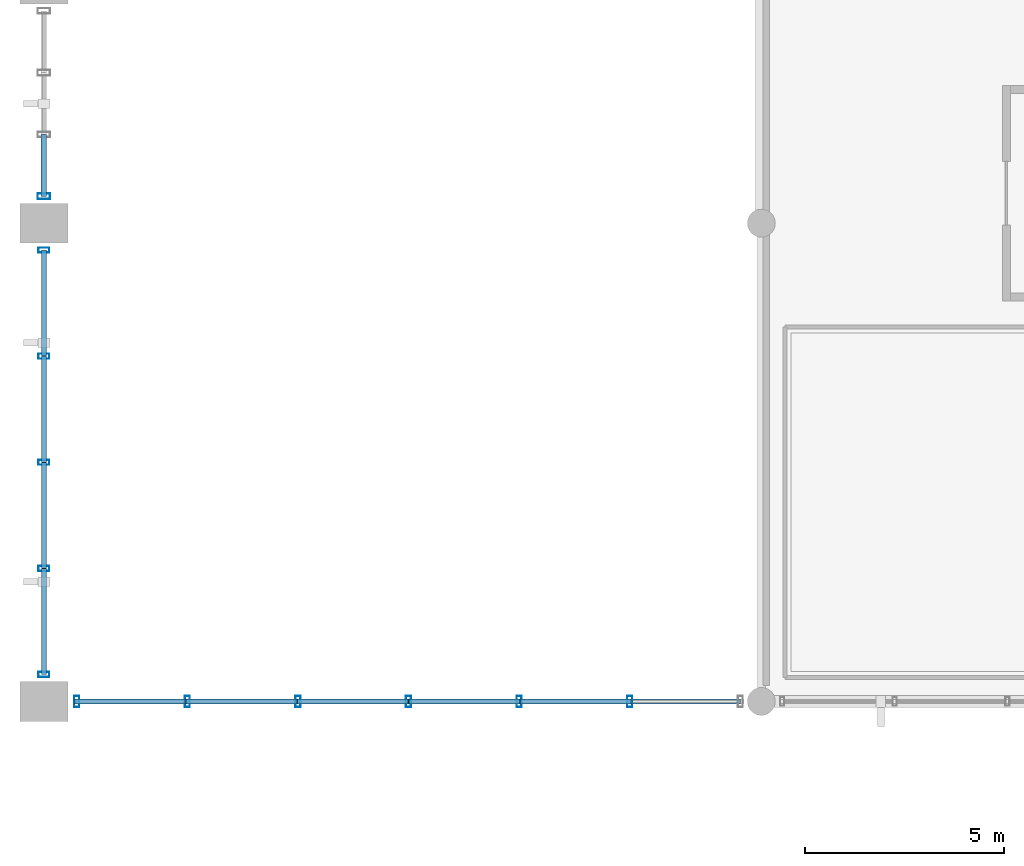
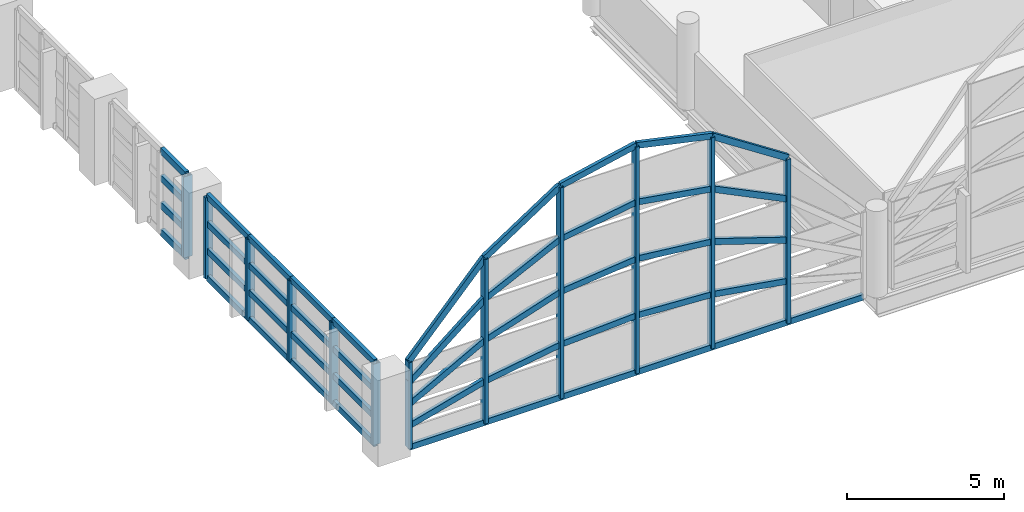
# One storey, part 19 of 116: 58 members, 3 elements without a shape of their own.
"""IFC4 building model written with IfcOpenShell, lengths in metres."""

import ifcopenshell
import ifcopenshell.guid

model = None  # the IFC model being written
_history = None  # IfcOwnerHistory: only IFC2X3 demands one
_inside = {}  # id of a spatial element -> (the spatial element, [elements in it])
_under = {}  # id of a project, library or spatial element -> (it, [spatial elements below it])
_declared = {}  # id of a project -> (the project, [libraries it declares])
_typed = {}  # id of a type object -> (the type object, [elements of that type])
_made_of = {}  # id of a material, layer set ... -> (it, [elements and type objects made of it])


def new_model(schema):
    """Start an empty IFC model of exactly this schema.

    Asked for "IFC4X3", IfcOpenShell would pick the latest addendum, in which some entities
    have other attributes; the version numbers below select the first issue.
    IFC2X3 requires an IfcOwnerHistory on every rooted entity: one is made here for all.
    """
    global model, _history
    if schema == "IFC4X3":
        model = ifcopenshell.file(schema_version=(4, 3, 0, 0))
    else:
        model = ifcopenshell.file(schema=schema)
    _inside.clear()
    _under.clear()
    _declared.clear()
    _typed.clear()
    _made_of.clear()
    _history = None
    if model.schema == "IFC2X3":
        org = make("IfcOrganization", Name="unknown")
        user = make(
            "IfcPersonAndOrganization",
            ThePerson=make("IfcPerson", FamilyName="unknown"),
            TheOrganization=org,
        )
        app = make(
            "IfcApplication",
            ApplicationDeveloper=org,
            Version="unknown",
            ApplicationFullName="unknown",
            ApplicationIdentifier="unknown",
        )
        _history = make(
            "IfcOwnerHistory",
            OwningUser=user,
            OwningApplication=app,
            ChangeAction="ADDED",
            CreationDate=0,
        )
    return model


def make(cls, **values):
    """One entity of the class cls with the attributes given. An attribute that is None is left unset."""
    return model.create_entity(
        cls, **{name: value for name, value in values.items() if value is not None}
    )


def rooted(cls, **values):
    """An entity with a GlobalId (a new one), such as an element, a storey or a relation."""
    return make(cls, GlobalId=ifcopenshell.guid.new(), OwnerHistory=_history, **values)


def si_unit(unit_type, name, prefix=None):
    """IfcSIUnit, for example si_unit("LENGTHUNIT", "METRE", prefix="MILLI")."""
    return make("IfcSIUnit", UnitType=unit_type, Prefix=prefix, Name=name)


def assignment(units):
    """IfcUnitAssignment: the units of a project."""
    return None if units is None else make("IfcUnitAssignment", Units=units)


def point(xyz):
    """IfcCartesianPoint."""
    return None if xyz is None else make("IfcCartesianPoint", Coordinates=xyz)


def direction(xyz):
    """IfcDirection."""
    return None if xyz is None else make("IfcDirection", DirectionRatios=xyz)


def frame(location, z_axis=None, x_axis=None):
    """IfcAxis2Placement3D, a coordinate frame: its origin and axes. An axis left out is left unset."""
    return make(
        "IfcAxis2Placement3D",
        Location=point(location),
        Axis=direction(z_axis),
        RefDirection=direction(x_axis),
    )


def frame_2d(location, x_axis=None):
    """IfcAxis2Placement2D, a coordinate frame in the plane: its origin and x axis."""
    return make(
        "IfcAxis2Placement2D", Location=point(location), RefDirection=direction(x_axis)
    )


def origin():
    """The frame at (0, 0, 0) with its axes left unset."""
    return frame((0.0, 0.0, 0.0))


def origin_2d():
    """The frame at (0, 0) in the plane with its x axis left unset."""
    return frame_2d((0.0, 0.0))


def place(relative_to, where):
    """IfcLocalPlacement: puts the frame where relative to a parent placement (None: the world)."""
    return make(
        "IfcLocalPlacement", PlacementRelTo=relative_to, RelativePlacement=where
    )


def context(
    kind, dimensions, precision=None, world=None, true_north=None, identifier=None
):
    """IfcGeometricRepresentationContext, for example the 3D "Model" context."""
    return make(
        "IfcGeometricRepresentationContext",
        ContextIdentifier=identifier,
        ContextType=kind,
        CoordinateSpaceDimension=dimensions,
        Precision=precision,
        WorldCoordinateSystem=world,
        TrueNorth=true_north,
    )


def subcontext(parent, identifier, kind, view, scale=None):
    """IfcGeometricRepresentationSubContext, for example "Body" below "Model"."""
    return make(
        "IfcGeometricRepresentationSubContext",
        ContextIdentifier=identifier,
        ContextType=kind,
        ParentContext=parent,
        TargetScale=scale,
        TargetView=view,
    )


def project(units=None, contexts=None):
    """IfcProject with its units and contexts."""
    return rooted(
        "IfcProject",
        Name="project",
        RepresentationContexts=contexts,
        UnitsInContext=assignment(units),
    )


def spatial(cls, under=None, at=None, **own):
    """A site, building, storey or space (cls), placed at a placement, below another one or the project."""
    s = rooted(cls, ObjectPlacement=at, **own)
    if under is not None:
        _under.setdefault(under.id(), (under, []))[1].append(s)
    return s


def profile(cls, at=None, kind="AREA", **sizes):
    """A parametric profile (cls). Its sizes go by their IFC names, for example OverallWidth=200.0."""
    return make(cls, ProfileType=kind, Position=at, **sizes)


def hollow_rectangle(**sizes):
    """IfcRectangleHollowProfileDef."""
    return profile("IfcRectangleHollowProfileDef", **sizes)


def extrude(swept, where, along, depth):
    """IfcExtrudedAreaSolid: the profile swept, set in the frame where, extruded along a direction by depth."""
    return make(
        "IfcExtrudedAreaSolid",
        SweptArea=swept,
        Position=where,
        ExtrudedDirection=direction(along),
        Depth=depth,
    )


def shape(context_of_items, identifier, shape_type, items):
    """IfcShapeRepresentation: the items that make up one representation, for example the "Body"."""
    return make(
        "IfcShapeRepresentation",
        ContextOfItems=context_of_items,
        RepresentationIdentifier=identifier,
        RepresentationType=shape_type,
        Items=items,
    )


def material(Name=None, Category=None):
    """IfcMaterial."""
    return make("IfcMaterial", Name=Name, Category=Category)


def material_profile(
    of_material, cross_section, Name=None, Category=None, Priority=None
):
    """IfcMaterialProfile: a cross section and its material."""
    return make(
        "IfcMaterialProfile",
        Name=Name,
        Material=of_material,
        Profile=cross_section,
        Priority=Priority,
        Category=Category,
    )


def profile_set(profiles, Name=None, composite=None):
    """IfcMaterialProfileSet."""
    return make(
        "IfcMaterialProfileSet",
        Name=Name,
        MaterialProfiles=profiles,
        CompositeProfile=composite,
    )


def made_of(thing, what):
    """Note that an element or type object is made of a material, layer set ...; save() writes the relation."""
    if what is not None:
        _made_of.setdefault(what.id(), (what, []))[1].append(thing)
    return thing


def type_object(cls, material=None, **own):
    """A type object (cls), such as IfcWallType, which elements share."""
    return made_of(rooted(cls, **own), material)


def element(
    cls,
    number,
    at=None,
    inside=None,
    cuts=None,
    type_object=None,
    material=None,
    context=None,
    identifier="Body",
    shape_type=None,
    held_by="IfcProductDefinitionShape",
    body=None,
    shapes=None,
    **own,
):
    """One element of the class cls, such as IfcWall. Its Tag is "e" and its number.

    at: its placement. inside: the storey or other place that contains it. cuts: it is an
    opening in that element (IfcRelVoidsElement). A single representation is given by context,
    identifier, shape_type and body (its items); several are given by shapes. held_by: the class
    of the entity that holds the representations. save() writes the other relations.
    """
    e = rooted(cls, Tag="e%d" % number, ObjectPlacement=at, **own)
    if body is not None:
        shapes = [shape(context, identifier, shape_type, body)]
    if shapes is not None:
        e.Representation = make(held_by, Representations=shapes)
    if inside is not None:
        _inside.setdefault(inside.id(), (inside, []))[1].append(e)
    if cuts is not None:
        rooted(
            "IfcRelVoidsElement", RelatingBuildingElement=cuts, RelatedOpeningElement=e
        )
    if type_object is not None:
        _typed.setdefault(type_object.id(), (type_object, []))[1].append(e)
    return made_of(e, material)


def aggregate(whole, parts):
    """IfcRelAggregates: a whole, such as a stair, and the parts it consists of."""
    return rooted("IfcRelAggregates", RelatingObject=whole, RelatedObjects=parts)


def save(model, path):
    """Write the relations noted so far, then the file.

    IfcRelAggregates (storeys below a building ...), IfcRelContainedInSpatialStructure (elements
    in a storey), IfcRelDefinesByType, IfcRelAssociatesMaterial and IfcRelDeclares: one each for
    every whole, place, type object, material and project.
    """
    for whole, parts in _under.values():
        aggregate(whole, parts)
    for where, things in _inside.values():
        rooted(
            "IfcRelContainedInSpatialStructure",
            RelatedElements=things,
            RelatingStructure=where,
        )
    for kind, things in _typed.values():
        rooted("IfcRelDefinesByType", RelatedObjects=things, RelatingType=kind)
    for what, things in _made_of.values():
        rooted("IfcRelAssociatesMaterial", RelatedObjects=things, RelatingMaterial=what)
    for by, libraries in _declared.values():
        rooted("IfcRelDeclares", RelatingContext=by, RelatedDefinitions=libraries)
    model.write(path)


model = new_model("IFC4")

# Units and contexts
model_context = context("Model", 3, precision=1e-05, world=origin(), true_north=direction((0.0, 1.0)))
body_context = subcontext(model_context, "Body", "Model", "MODEL_VIEW")
ifc_project = project(units=[si_unit("LENGTHUNIT", "METRE"), si_unit("AREAUNIT", "SQUARE_METRE"), si_unit("VOLUMEUNIT", "CUBIC_METRE"), si_unit("PLANEANGLEUNIT", "RADIAN"), si_unit("MASSUNIT", "GRAM", prefix="KILO")], contexts=[model_context])

# Site, building, storey
site_placement = place(None, origin())
site = spatial("IfcSite", under=ifc_project, at=site_placement, CompositionType="ELEMENT")
building_placement = place(site_placement, origin())
building = spatial("IfcBuilding", under=site, at=building_placement, Name="Chuanluo Vaults Station", CompositionType="ELEMENT")
storey_placement = place(building_placement, frame((0.0, 0.0, 10.800048828125)))
storey = spatial("IfcBuildingStorey", under=building, at=storey_placement, Name="L02", CompositionType="ELEMENT", Elevation=10.800048828125)

# Curtain wall, members
ifc_material_1 = material(Name="Anodised aluminium 6063-T6", Category="aluminium")
curtain_wall_type_1 = type_object("IfcCurtainWallType", Name="CW-SYS-02", PredefinedType="NOTDEFINED", material=ifc_material_1)
curtain_wall_1_placement = place(storey_placement, origin())
curtain_wall_1 = element("IfcCurtainWall", 1, at=curtain_wall_1_placement, inside=storey, type_object=curtain_wall_type_1, Name="Vault V1 south arched curtain wall", PredefinedType="NOTDEFINED")
ifc_material_2 = material(Name="Anodised aluminium 6063-T6", Category="aluminium")
ifc_material_profile_1 = material_profile(ifc_material_2, hollow_rectangle(XDim=0.1298828125, YDim=0.280029296875, WallThickness=0.007080078125, at=origin_2d()))
ifc_profile_set_1 = profile_set([ifc_material_profile_1], Name="Anodised aluminium 6063-T6")
member_type_1 = type_object("IfcMemberType", Name="CWM-180", PredefinedType="MULLION", material=ifc_profile_set_1)
member_1_placement = place(storey_placement, frame((14.699951171875, 18.0, 0.0), z_axis=(0.0, 0.0, 1.0), x_axis=(-1.0, 0.0, 0.0)))
member_1 = element("IfcMember", 2, at=member_1_placement, type_object=member_type_1, Name="Vault V1 south arched curtain wall mullion 2", PredefinedType="MULLION", context=body_context, shape_type="SweptSolid", body=[
    extrude(hollow_rectangle(XDim=0.1298828125, YDim=0.280029296875, WallThickness=0.007080078125, at=origin_2d()), origin(), (0.0, 0.0, 1.0), 6.377685546875),
])
member_2_placement = place(storey_placement, frame((11.925048828125, 18.0, 0.0), z_axis=(0.0, 0.0, 1.0), x_axis=(-1.0, 0.0, 0.0)))
member_2 = element("IfcMember", 3, at=member_2_placement, type_object=member_type_1, Name="Vault V1 south arched curtain wall mullion 3", PredefinedType="MULLION", context=body_context, shape_type="SweptSolid", body=[
    extrude(hollow_rectangle(XDim=0.1298828125, YDim=0.280029296875, WallThickness=0.007080078125, at=origin_2d()), origin(), (0.0, 0.0, 1.0), 8.1943359375),
])
member_3_placement = place(storey_placement, frame((9.14990234375, 18.0, 0.0), z_axis=(0.0, 0.0, 1.0), x_axis=(-1.0, 0.0, 0.0)))
member_3 = element("IfcMember", 4, at=member_3_placement, type_object=member_type_1, Name="Vault V1 south arched curtain wall mullion 4", PredefinedType="MULLION", context=body_context, shape_type="SweptSolid", body=[
    extrude(hollow_rectangle(XDim=0.1298828125, YDim=0.280029296875, WallThickness=0.007080078125, at=origin_2d()), origin(), (0.0, 0.0, 1.0), 8.800048828125),
])
member_4_placement = place(storey_placement, frame((6.375, 18.0, 0.0), z_axis=(0.0, 0.0, 1.0), x_axis=(-1.0, 0.0, 0.0)))
member_4 = element("IfcMember", 5, at=member_4_placement, type_object=member_type_1, Name="Vault V1 south arched curtain wall mullion 5", PredefinedType="MULLION", context=body_context, shape_type="SweptSolid", body=[
    extrude(hollow_rectangle(XDim=0.1298828125, YDim=0.280029296875, WallThickness=0.007080078125, at=origin_2d()), origin(), (0.0, 0.0, 1.0), 8.1943359375),
])
member_5_placement = place(storey_placement, frame((3.60009765625, 18.0, 0.0), z_axis=(0.0, 0.0, 1.0), x_axis=(-1.0, 0.0, 0.0)))
member_5 = element("IfcMember", 6, at=member_5_placement, type_object=member_type_1, Name="Vault V1 south arched curtain wall mullion 6", PredefinedType="MULLION", context=body_context, shape_type="SweptSolid", body=[
    extrude(hollow_rectangle(XDim=0.1298828125, YDim=0.280029296875, WallThickness=0.007080078125, at=origin_2d()), origin(), (0.0, 0.0, 1.0), 6.377685546875),
])
member_6_placement = place(storey_placement, frame((0.824951171875, 18.0, 0.0), z_axis=(0.0, 0.0, 1.0), x_axis=(-1.0, 0.0, 0.0)))
member_6 = element("IfcMember", 7, at=member_6_placement, type_object=member_type_1, Name="Vault V1 south arched curtain wall mullion 7", PredefinedType="MULLION", context=body_context, shape_type="SweptSolid", body=[
    extrude(hollow_rectangle(XDim=0.1298828125, YDim=0.280029296875, WallThickness=0.007080078125, at=origin_2d()), origin(), (0.0, 0.0, 1.0), 3.349853515625),
])

ifc_material_3 = material(Name="Anodised aluminium 6063-T6", Category="aluminium")
curtain_wall_type_2 = type_object("IfcCurtainWallType", Name="CW-SYS-26", PredefinedType="NOTDEFINED", material=ifc_material_3)
curtain_wall_2_placement = place(storey_placement, origin())
curtain_wall_2 = element("IfcCurtainWall", 8, at=curtain_wall_2_placement, inside=storey, type_object=curtain_wall_type_2, Name="Train shed west clerestory CW 18", PredefinedType="NOTDEFINED")
member_7_placement = place(storey_placement, frame((0.0, 18.675048828125, 0.0), z_axis=(0.0, 0.0, 1.0), x_axis=(0.0, 1.0, 0.0)))
member_7 = element("IfcMember", 9, at=member_7_placement, type_object=member_type_1, Name="Train shed west clerestory CW 18 mullion 1", PredefinedType="MULLION", context=body_context, shape_type="SweptSolid", body=[
    extrude(hollow_rectangle(XDim=0.1298828125, YDim=0.280029296875, WallThickness=0.007080078125, at=origin_2d()), origin(), (0.0, 0.0, 1.0), 3.14990234375),
])
member_8_placement = place(storey_placement, frame((0.0, 21.33740234375, 0.0), z_axis=(0.0, 0.0, 1.0), x_axis=(0.0, 1.0, 0.0)))
member_8 = element("IfcMember", 10, at=member_8_placement, type_object=member_type_1, Name="Train shed west clerestory CW 18 mullion 2", PredefinedType="MULLION", context=body_context, shape_type="SweptSolid", body=[
    extrude(hollow_rectangle(XDim=0.1298828125, YDim=0.280029296875, WallThickness=0.007080078125, at=origin_2d()), origin(), (0.0, 0.0, 1.0), 3.14990234375),
])
member_9_placement = place(storey_placement, frame((0.0, 24.0, 0.0), z_axis=(0.0, 0.0, 1.0), x_axis=(0.0, 1.0, 0.0)))
member_9 = element("IfcMember", 11, at=member_9_placement, type_object=member_type_1, Name="Train shed west clerestory CW 18 mullion 3", PredefinedType="MULLION", context=body_context, shape_type="SweptSolid", body=[
    extrude(hollow_rectangle(XDim=0.1298828125, YDim=0.280029296875, WallThickness=0.007080078125, at=origin_2d()), origin(), (0.0, 0.0, 1.0), 3.14990234375),
])
member_10_placement = place(storey_placement, frame((0.0, 26.66259765625, 0.0), z_axis=(0.0, 0.0, 1.0), x_axis=(0.0, 1.0, 0.0)))
member_10 = element("IfcMember", 12, at=member_10_placement, type_object=member_type_1, Name="Train shed west clerestory CW 18 mullion 4", PredefinedType="MULLION", context=body_context, shape_type="SweptSolid", body=[
    extrude(hollow_rectangle(XDim=0.1298828125, YDim=0.280029296875, WallThickness=0.007080078125, at=origin_2d()), origin(), (0.0, 0.0, 1.0), 3.14990234375),
])
member_11_placement = place(storey_placement, frame((0.0, 29.324951171875, 0.0), z_axis=(0.0, 0.0, 1.0), x_axis=(0.0, 1.0, 0.0)))
member_11 = element("IfcMember", 13, at=member_11_placement, type_object=member_type_1, Name="Train shed west clerestory CW 18 mullion 5", PredefinedType="MULLION", context=body_context, shape_type="SweptSolid", body=[
    extrude(hollow_rectangle(XDim=0.1298828125, YDim=0.280029296875, WallThickness=0.007080078125, at=origin_2d()), origin(), (0.0, 0.0, 1.0), 3.14990234375),
])

# Curtain wall, member
ifc_material_4 = material(Name="Anodised aluminium 6063-T6", Category="aluminium")
curtain_wall_type_3 = type_object("IfcCurtainWallType", Name="CW-SYS-01", PredefinedType="NOTDEFINED", material=ifc_material_4)
curtain_wall_3_placement = place(storey_placement, origin())
curtain_wall_3 = element("IfcCurtainWall", 14, at=curtain_wall_3_placement, inside=storey, type_object=curtain_wall_type_3, Name="Train shed west clerestory CW 30 part 1", PredefinedType="NOTDEFINED")
ifc_material_5 = material(Name="Anodised aluminium 6063-T6", Category="aluminium")
ifc_material_profile_2 = material_profile(ifc_material_5, hollow_rectangle(XDim=0.139892578125, YDim=0.320068359375, WallThickness=0.008056640625, at=origin_2d()))
ifc_profile_set_2 = profile_set([ifc_material_profile_2], Name="Anodised aluminium 6063-T6")
member_type_2 = type_object("IfcMemberType", Name="CWM-220", PredefinedType="MULLION", material=ifc_profile_set_2)
member_12_placement = place(storey_placement, frame((0.0, 30.675048828125, 0.0), z_axis=(0.0, 0.0, 1.0), x_axis=(0.0, 1.0, 0.0)))
member_12 = element("IfcMember", 15, at=member_12_placement, type_object=member_type_2, Name="Train shed west clerestory CW 30 part 1 mullion 1", PredefinedType="MULLION", context=body_context, shape_type="SweptSolid", body=[
    extrude(hollow_rectangle(XDim=0.139892578125, YDim=0.320068359375, WallThickness=0.008056640625, at=origin_2d()), origin(), (0.0, 0.0, 1.0), 3.14990234375),
])

# Member
ifc_material_6 = material(Name="Anodised aluminium 6063-T6", Category="aluminium")
ifc_material_profile_3 = material_profile(ifc_material_6, hollow_rectangle(XDim=0.1298828125, YDim=0.22998046875, WallThickness=0.006103515625, at=origin_2d()))
ifc_profile_set_3 = profile_set([ifc_material_profile_3], Name="Anodised aluminium 6063-T6")
member_type_3 = type_object("IfcMemberType", Name="CWT-150", PredefinedType="USERDEFINED", material=ifc_profile_set_3)
member_13_placement = place(storey_placement, frame((17.47509765625, 18.0, 0.0), z_axis=(-1.0, 0.0, 0.0), x_axis=(0.0, -1.0, 0.0)))
member_13 = element("IfcMember", 16, at=member_13_placement, type_object=member_type_3, Name="Vault V1 south arched curtain wall transom 1.1", ObjectType="TRANSOM", PredefinedType="USERDEFINED", context=body_context, shape_type="SweptSolid", body=[
    extrude(hollow_rectangle(XDim=0.1298828125, YDim=0.22998046875, WallThickness=0.006103515625, at=origin_2d()), origin(), (0.0, 0.0, 1.0), 2.775146484375),
])

member_14_placement = place(storey_placement, frame((14.699951171875, 18.0, 0.0), z_axis=(-1.0, 0.0, 0.0), x_axis=(0.0, -1.0, 0.0)))
member_14 = element("IfcMember", 17, at=member_14_placement, type_object=member_type_3, Name="Vault V1 south arched curtain wall transom 2.1", ObjectType="TRANSOM", PredefinedType="USERDEFINED", context=body_context, shape_type="SweptSolid", body=[
    extrude(hollow_rectangle(XDim=0.1298828125, YDim=0.22998046875, WallThickness=0.006103515625, at=origin_2d()), origin(), (0.0, 0.0, 1.0), 2.77490234375),
])

member_15_placement = place(storey_placement, frame((14.699951171875, 18.0, 1.594482421875), z_axis=(-0.98687307331, 0.0, 0.161497793098), x_axis=(0.0, -1.0, 0.0)))
member_15 = element("IfcMember", 18, at=member_15_placement, type_object=member_type_3, Name="Vault V1 south arched curtain wall transom 2.2", ObjectType="TRANSOM", PredefinedType="USERDEFINED", context=body_context, shape_type="SweptSolid", body=[
    extrude(hollow_rectangle(XDim=0.1298828125, YDim=0.22998046875, WallThickness=0.006103515625, at=origin_2d()), origin(), (0.0, 0.0, 1.0), 2.811767578125),
])

member_16_placement = place(storey_placement, frame((14.699951171875, 18.0, 3.18896484375), z_axis=(-0.950391735862, 0.0, 0.3110555391), x_axis=(0.0, -1.0, 0.0)))
member_16 = element("IfcMember", 19, at=member_16_placement, type_object=member_type_3, Name="Vault V1 south arched curtain wall transom 2.3", ObjectType="TRANSOM", PredefinedType="USERDEFINED", context=body_context, shape_type="SweptSolid", body=[
    extrude(hollow_rectangle(XDim=0.1298828125, YDim=0.22998046875, WallThickness=0.006103515625, at=origin_2d()), origin(), (0.0, 0.0, 1.0), 2.919677734375),
])

member_17_placement = place(storey_placement, frame((14.699951171875, 18.0, 4.783447265625), z_axis=(-0.897657385752, 0.0, 0.440694018344), x_axis=(0.0, -1.0, 0.0)))
member_17 = element("IfcMember", 20, at=member_17_placement, type_object=member_type_3, Name="Vault V1 south arched curtain wall transom 2.4", ObjectType="TRANSOM", PredefinedType="USERDEFINED", context=body_context, shape_type="SweptSolid", body=[
    extrude(hollow_rectangle(XDim=0.1298828125, YDim=0.22998046875, WallThickness=0.006103515625, at=origin_2d()), origin(), (0.0, 0.0, 1.0), 3.09130859375),
])

member_18_placement = place(storey_placement, frame((14.699951171875, 18.0, 6.377685546875), z_axis=(-0.836653064814, 0.0, 0.547733191561), x_axis=(0.0, -1.0, 0.0)))
member_18 = element("IfcMember", 21, at=member_18_placement, type_object=member_type_3, Name="Vault V1 south arched curtain wall transom 2.5", ObjectType="TRANSOM", PredefinedType="USERDEFINED", context=body_context, shape_type="SweptSolid", body=[
    extrude(hollow_rectangle(XDim=0.1298828125, YDim=0.22998046875, WallThickness=0.006103515625, at=origin_2d()), origin(), (0.0, 0.0, 1.0), 3.316650390625),
])

member_19_placement = place(storey_placement, frame((11.925048828125, 18.0, 0.0), z_axis=(-1.0, 0.0, 0.0), x_axis=(0.0, -1.0, 0.0)))
member_19 = element("IfcMember", 22, at=member_19_placement, type_object=member_type_3, Name="Vault V1 south arched curtain wall transom 3.1", ObjectType="TRANSOM", PredefinedType="USERDEFINED", context=body_context, shape_type="SweptSolid", body=[
    extrude(hollow_rectangle(XDim=0.1298828125, YDim=0.22998046875, WallThickness=0.006103515625, at=origin_2d()), origin(), (0.0, 0.0, 1.0), 2.775146484375),
])

member_20_placement = place(storey_placement, frame((11.925048828125, 18.0, 2.048583984375), z_axis=(-0.998515794789, 0.0, 0.054462900745), x_axis=(0.0, -1.0, 0.0)))
member_20 = element("IfcMember", 23, at=member_20_placement, type_object=member_type_3, Name="Vault V1 south arched curtain wall transom 3.2", ObjectType="TRANSOM", PredefinedType="USERDEFINED", context=body_context, shape_type="SweptSolid", body=[
    extrude(hollow_rectangle(XDim=0.1298828125, YDim=0.22998046875, WallThickness=0.006103515625, at=origin_2d()), origin(), (0.0, 0.0, 1.0), 2.779296875),
])

member_21_placement = place(storey_placement, frame((11.925048828125, 18.0, 4.09716796875), z_axis=(-0.994102519452, 0.0, 0.10844436739), x_axis=(0.0, -1.0, 0.0)))
member_21 = element("IfcMember", 24, at=member_21_placement, type_object=member_type_3, Name="Vault V1 south arched curtain wall transom 3.3", ObjectType="TRANSOM", PredefinedType="USERDEFINED", context=body_context, shape_type="SweptSolid", body=[
    extrude(hollow_rectangle(XDim=0.1298828125, YDim=0.22998046875, WallThickness=0.006103515625, at=origin_2d()), origin(), (0.0, 0.0, 1.0), 2.79150390625),
])

member_22_placement = place(storey_placement, frame((11.925048828125, 18.0, 6.145751953125), z_axis=(-0.986875337595, 0.0, 0.161483956007), x_axis=(0.0, -1.0, 0.0)))
member_22 = element("IfcMember", 25, at=member_22_placement, type_object=member_type_3, Name="Vault V1 south arched curtain wall transom 3.4", ObjectType="TRANSOM", PredefinedType="USERDEFINED", context=body_context, shape_type="SweptSolid", body=[
    extrude(hollow_rectangle(XDim=0.1298828125, YDim=0.22998046875, WallThickness=0.006103515625, at=origin_2d()), origin(), (0.0, 0.0, 1.0), 2.81201171875),
])

member_23_placement = place(storey_placement, frame((11.925048828125, 18.0, 8.1943359375), z_axis=(-0.976999159617, 0.0, 0.213243152548), x_axis=(0.0, -1.0, 0.0)))
member_23 = element("IfcMember", 26, at=member_23_placement, type_object=member_type_3, Name="Vault V1 south arched curtain wall transom 3.5", ObjectType="TRANSOM", PredefinedType="USERDEFINED", context=body_context, shape_type="SweptSolid", body=[
    extrude(hollow_rectangle(XDim=0.1298828125, YDim=0.22998046875, WallThickness=0.006103515625, at=origin_2d()), origin(), (0.0, 0.0, 1.0), 2.840576171875),
])

member_24_placement = place(storey_placement, frame((9.14990234375, 18.0, 0.0), z_axis=(-1.0, 0.0, 0.0), x_axis=(0.0, -1.0, 0.0)))
member_24 = element("IfcMember", 27, at=member_24_placement, type_object=member_type_3, Name="Vault V1 south arched curtain wall transom 4.1", ObjectType="TRANSOM", PredefinedType="USERDEFINED", context=body_context, shape_type="SweptSolid", body=[
    extrude(hollow_rectangle(XDim=0.1298828125, YDim=0.22998046875, WallThickness=0.006103515625, at=origin_2d()), origin(), (0.0, 0.0, 1.0), 2.77490234375),
])

member_25_placement = place(storey_placement, frame((9.14990234375, 18.0, 2.199951171875), z_axis=(-0.998515534193, 0.0, -0.054467678268), x_axis=(0.0, -1.0, 0.0)))
member_25 = element("IfcMember", 28, at=member_25_placement, type_object=member_type_3, Name="Vault V1 south arched curtain wall transom 4.2", ObjectType="TRANSOM", PredefinedType="USERDEFINED", context=body_context, shape_type="SweptSolid", body=[
    extrude(hollow_rectangle(XDim=0.1298828125, YDim=0.22998046875, WallThickness=0.006103515625, at=origin_2d()), origin(), (0.0, 0.0, 1.0), 2.779052734375),
])

member_26_placement = place(storey_placement, frame((9.14990234375, 18.0, 4.39990234375), z_axis=(-0.99410149083, 0.0, -0.10845379629), x_axis=(0.0, -1.0, 0.0)))
member_26 = element("IfcMember", 29, at=member_26_placement, type_object=member_type_3, Name="Vault V1 south arched curtain wall transom 4.3", ObjectType="TRANSOM", PredefinedType="USERDEFINED", context=body_context, shape_type="SweptSolid", body=[
    extrude(hollow_rectangle(XDim=0.1298828125, YDim=0.22998046875, WallThickness=0.006103515625, at=origin_2d()), origin(), (0.0, 0.0, 1.0), 2.791259765625),
])

member_27_placement = place(storey_placement, frame((9.14990234375, 18.0, 6.599853515625), z_axis=(-0.98687307331, 0.0, -0.161497793098), x_axis=(0.0, -1.0, 0.0)))
member_27 = element("IfcMember", 30, at=member_27_placement, type_object=member_type_3, Name="Vault V1 south arched curtain wall transom 4.4", ObjectType="TRANSOM", PredefinedType="USERDEFINED", context=body_context, shape_type="SweptSolid", body=[
    extrude(hollow_rectangle(XDim=0.1298828125, YDim=0.22998046875, WallThickness=0.006103515625, at=origin_2d()), origin(), (0.0, 0.0, 1.0), 2.811767578125),
])

member_28_placement = place(storey_placement, frame((9.14990234375, 18.0, 8.800048828125), z_axis=(-0.976995250729, 0.0, -0.2132610608), x_axis=(0.0, -1.0, 0.0)))
member_28 = element("IfcMember", 31, at=member_28_placement, type_object=member_type_3, Name="Vault V1 south arched curtain wall transom 4.5", ObjectType="TRANSOM", PredefinedType="USERDEFINED", context=body_context, shape_type="SweptSolid", body=[
    extrude(hollow_rectangle(XDim=0.1298828125, YDim=0.22998046875, WallThickness=0.006103515625, at=origin_2d()), origin(), (0.0, 0.0, 1.0), 2.84033203125),
])

member_29_placement = place(storey_placement, frame((6.375, 18.0, 0.0), z_axis=(-1.0, 0.0, 0.0), x_axis=(0.0, -1.0, 0.0)))
member_29 = element("IfcMember", 32, at=member_29_placement, type_object=member_type_3, Name="Vault V1 south arched curtain wall transom 5.1", ObjectType="TRANSOM", PredefinedType="USERDEFINED", context=body_context, shape_type="SweptSolid", body=[
    extrude(hollow_rectangle(XDim=0.1298828125, YDim=0.22998046875, WallThickness=0.006103515625, at=origin_2d()), origin(), (0.0, 0.0, 1.0), 2.77490234375),
])

member_30_placement = place(storey_placement, frame((6.375, 18.0, 2.048583984375), z_axis=(-0.98687307331, 0.0, -0.161497793098), x_axis=(0.0, -1.0, 0.0)))
member_30 = element("IfcMember", 33, at=member_30_placement, type_object=member_type_3, Name="Vault V1 south arched curtain wall transom 5.2", ObjectType="TRANSOM", PredefinedType="USERDEFINED", context=body_context, shape_type="SweptSolid", body=[
    extrude(hollow_rectangle(XDim=0.1298828125, YDim=0.22998046875, WallThickness=0.006103515625, at=origin_2d()), origin(), (0.0, 0.0, 1.0), 2.811767578125),
])

member_31_placement = place(storey_placement, frame((6.375, 18.0, 4.09716796875), z_axis=(-0.950391735862, 0.0, -0.3110555391), x_axis=(0.0, -1.0, 0.0)))
member_31 = element("IfcMember", 34, at=member_31_placement, type_object=member_type_3, Name="Vault V1 south arched curtain wall transom 5.3", ObjectType="TRANSOM", PredefinedType="USERDEFINED", context=body_context, shape_type="SweptSolid", body=[
    extrude(hollow_rectangle(XDim=0.1298828125, YDim=0.22998046875, WallThickness=0.006103515625, at=origin_2d()), origin(), (0.0, 0.0, 1.0), 2.919677734375),
])

member_32_placement = place(storey_placement, frame((6.375, 18.0, 6.145751953125), z_axis=(-0.897657385752, 0.0, -0.440694018344), x_axis=(0.0, -1.0, 0.0)))
member_32 = element("IfcMember", 35, at=member_32_placement, type_object=member_type_3, Name="Vault V1 south arched curtain wall transom 5.4", ObjectType="TRANSOM", PredefinedType="USERDEFINED", context=body_context, shape_type="SweptSolid", body=[
    extrude(hollow_rectangle(XDim=0.1298828125, YDim=0.22998046875, WallThickness=0.006103515625, at=origin_2d()), origin(), (0.0, 0.0, 1.0), 3.09130859375),
])

member_33_placement = place(storey_placement, frame((6.375, 18.0, 8.1943359375), z_axis=(-0.836653064814, 0.0, -0.547733191561), x_axis=(0.0, -1.0, 0.0)))
member_33 = element("IfcMember", 36, at=member_33_placement, type_object=member_type_3, Name="Vault V1 south arched curtain wall transom 5.5", ObjectType="TRANSOM", PredefinedType="USERDEFINED", context=body_context, shape_type="SweptSolid", body=[
    extrude(hollow_rectangle(XDim=0.1298828125, YDim=0.22998046875, WallThickness=0.006103515625, at=origin_2d()), origin(), (0.0, 0.0, 1.0), 3.316650390625),
])

member_34_placement = place(storey_placement, frame((3.60009765625, 18.0, 0.0), z_axis=(-1.0, 0.0, 0.0), x_axis=(0.0, -1.0, 0.0)))
member_34 = element("IfcMember", 37, at=member_34_placement, type_object=member_type_3, Name="Vault V1 south arched curtain wall transom 6.1", ObjectType="TRANSOM", PredefinedType="USERDEFINED", context=body_context, shape_type="SweptSolid", body=[
    extrude(hollow_rectangle(XDim=0.1298828125, YDim=0.22998046875, WallThickness=0.006103515625, at=origin_2d()), origin(), (0.0, 0.0, 1.0), 2.775146484375),
])

member_35_placement = place(storey_placement, frame((3.60009765625, 18.0, 1.594482421875), z_axis=(-0.964744232633, 0.0, -0.263189220146), x_axis=(0.0, -1.0, 0.0)))
member_35 = element("IfcMember", 38, at=member_35_placement, type_object=member_type_3, Name="Vault V1 south arched curtain wall transom 6.2", ObjectType="TRANSOM", PredefinedType="USERDEFINED", context=body_context, shape_type="SweptSolid", body=[
    extrude(hollow_rectangle(XDim=0.1298828125, YDim=0.22998046875, WallThickness=0.006103515625, at=origin_2d()), origin(), (0.0, 0.0, 1.0), 2.87646484375),
])

member_36_placement = place(storey_placement, frame((3.60009765625, 18.0, 3.18896484375), z_axis=(-0.877869008512, 0.0, -0.478900828872), x_axis=(0.0, -1.0, 0.0)))
member_36 = element("IfcMember", 39, at=member_36_placement, type_object=member_type_3, Name="Vault V1 south arched curtain wall transom 6.3", ObjectType="TRANSOM", PredefinedType="USERDEFINED", context=body_context, shape_type="SweptSolid", body=[
    extrude(hollow_rectangle(XDim=0.1298828125, YDim=0.22998046875, WallThickness=0.006103515625, at=origin_2d()), origin(), (0.0, 0.0, 1.0), 3.1611328125),
])

member_37_placement = place(storey_placement, frame((3.60009765625, 18.0, 4.783447265625), z_axis=(-0.773899661364, 0.0, -0.633308229965), x_axis=(0.0, -1.0, 0.0)))
member_37 = element("IfcMember", 40, at=member_37_placement, type_object=member_type_3, Name="Vault V1 south arched curtain wall transom 6.4", ObjectType="TRANSOM", PredefinedType="USERDEFINED", context=body_context, shape_type="SweptSolid", body=[
    extrude(hollow_rectangle(XDim=0.1298828125, YDim=0.22998046875, WallThickness=0.006103515625, at=origin_2d()), origin(), (0.0, 0.0, 1.0), 3.5859375),
])

member_38_placement = place(storey_placement, frame((3.60009765625, 18.0, 6.377685546875), z_axis=(-0.675676176294, 0.0, -0.737198551808), x_axis=(0.0, -1.0, 0.0)))
member_38 = element("IfcMember", 41, at=member_38_placement, type_object=member_type_3, Name="Vault V1 south arched curtain wall transom 6.5", ObjectType="TRANSOM", PredefinedType="USERDEFINED", context=body_context, shape_type="SweptSolid", body=[
    extrude(hollow_rectangle(XDim=0.1298828125, YDim=0.22998046875, WallThickness=0.006103515625, at=origin_2d()), origin(), (0.0, 0.0, 1.0), 4.107177734375),
])

aggregate(curtain_wall_1, [member_1, member_2, member_3, member_4, member_5, member_6, member_13, member_14, member_15, member_16, member_17, member_18, member_19, member_20, member_21, member_22, member_23, member_24, member_25, member_26, member_27, member_28, member_29, member_30, member_31, member_32, member_33, member_34, member_35, member_36, member_37, member_38])

member_39_placement = place(storey_placement, frame((0.0, 18.675048828125, 0.0), z_axis=(0.0, 1.0, 0.0), x_axis=(-1.0, 0.0, 0.0)))
member_39 = element("IfcMember", 42, at=member_39_placement, type_object=member_type_3, Name="Train shed west clerestory CW 18 transom 1.1", ObjectType="TRANSOM", PredefinedType="USERDEFINED", context=body_context, shape_type="SweptSolid", body=[
    extrude(hollow_rectangle(XDim=0.1298828125, YDim=0.22998046875, WallThickness=0.006103515625, at=origin_2d()), origin(), (0.0, 0.0, 1.0), 2.662353515625),
])

member_40_placement = place(storey_placement, frame((0.0, 18.675048828125, 1.050048828125), z_axis=(0.0, 1.0, 0.0), x_axis=(-1.0, 0.0, 0.0)))
member_40 = element("IfcMember", 43, at=member_40_placement, type_object=member_type_3, Name="Train shed west clerestory CW 18 transom 1.2", ObjectType="TRANSOM", PredefinedType="USERDEFINED", context=body_context, shape_type="SweptSolid", body=[
    extrude(hollow_rectangle(XDim=0.1298828125, YDim=0.22998046875, WallThickness=0.006103515625, at=origin_2d()), origin(), (0.0, 0.0, 1.0), 2.662353515625),
])

member_41_placement = place(storey_placement, frame((0.0, 18.675048828125, 2.099853515625), z_axis=(0.0, 1.0, 0.0), x_axis=(-1.0, 0.0, 0.0)))
member_41 = element("IfcMember", 44, at=member_41_placement, type_object=member_type_3, Name="Train shed west clerestory CW 18 transom 1.3", ObjectType="TRANSOM", PredefinedType="USERDEFINED", context=body_context, shape_type="SweptSolid", body=[
    extrude(hollow_rectangle(XDim=0.1298828125, YDim=0.22998046875, WallThickness=0.006103515625, at=origin_2d()), origin(), (0.0, 0.0, 1.0), 2.662353515625),
])

member_42_placement = place(storey_placement, frame((0.0, 18.675048828125, 3.14990234375), z_axis=(0.0, 1.0, 0.0), x_axis=(-1.0, 0.0, 0.0)))
member_42 = element("IfcMember", 45, at=member_42_placement, type_object=member_type_3, Name="Train shed west clerestory CW 18 transom 1.4", ObjectType="TRANSOM", PredefinedType="USERDEFINED", context=body_context, shape_type="SweptSolid", body=[
    extrude(hollow_rectangle(XDim=0.1298828125, YDim=0.22998046875, WallThickness=0.006103515625, at=origin_2d()), origin(), (0.0, 0.0, 1.0), 2.662353515625),
])

member_43_placement = place(storey_placement, frame((0.0, 21.33740234375, 0.0), z_axis=(0.0, 1.0, 0.0), x_axis=(-1.0, 0.0, 0.0)))
member_43 = element("IfcMember", 46, at=member_43_placement, type_object=member_type_3, Name="Train shed west clerestory CW 18 transom 2.1", ObjectType="TRANSOM", PredefinedType="USERDEFINED", context=body_context, shape_type="SweptSolid", body=[
    extrude(hollow_rectangle(XDim=0.1298828125, YDim=0.22998046875, WallThickness=0.006103515625, at=origin_2d()), origin(), (0.0, 0.0, 1.0), 2.66259765625),
])

member_44_placement = place(storey_placement, frame((0.0, 21.33740234375, 1.050048828125), z_axis=(0.0, 1.0, 0.0), x_axis=(-1.0, 0.0, 0.0)))
member_44 = element("IfcMember", 47, at=member_44_placement, type_object=member_type_3, Name="Train shed west clerestory CW 18 transom 2.2", ObjectType="TRANSOM", PredefinedType="USERDEFINED", context=body_context, shape_type="SweptSolid", body=[
    extrude(hollow_rectangle(XDim=0.1298828125, YDim=0.22998046875, WallThickness=0.006103515625, at=origin_2d()), origin(), (0.0, 0.0, 1.0), 2.66259765625),
])

member_45_placement = place(storey_placement, frame((0.0, 21.33740234375, 2.099853515625), z_axis=(0.0, 1.0, 0.0), x_axis=(-1.0, 0.0, 0.0)))
member_45 = element("IfcMember", 48, at=member_45_placement, type_object=member_type_3, Name="Train shed west clerestory CW 18 transom 2.3", ObjectType="TRANSOM", PredefinedType="USERDEFINED", context=body_context, shape_type="SweptSolid", body=[
    extrude(hollow_rectangle(XDim=0.1298828125, YDim=0.22998046875, WallThickness=0.006103515625, at=origin_2d()), origin(), (0.0, 0.0, 1.0), 2.66259765625),
])

member_46_placement = place(storey_placement, frame((0.0, 21.33740234375, 3.14990234375), z_axis=(0.0, 1.0, 0.0), x_axis=(-1.0, 0.0, 0.0)))
member_46 = element("IfcMember", 49, at=member_46_placement, type_object=member_type_3, Name="Train shed west clerestory CW 18 transom 2.4", ObjectType="TRANSOM", PredefinedType="USERDEFINED", context=body_context, shape_type="SweptSolid", body=[
    extrude(hollow_rectangle(XDim=0.1298828125, YDim=0.22998046875, WallThickness=0.006103515625, at=origin_2d()), origin(), (0.0, 0.0, 1.0), 2.66259765625),
])

member_47_placement = place(storey_placement, frame((0.0, 24.0, 0.0), z_axis=(0.0, 1.0, 0.0), x_axis=(-1.0, 0.0, 0.0)))
member_47 = element("IfcMember", 50, at=member_47_placement, type_object=member_type_3, Name="Train shed west clerestory CW 18 transom 3.1", ObjectType="TRANSOM", PredefinedType="USERDEFINED", context=body_context, shape_type="SweptSolid", body=[
    extrude(hollow_rectangle(XDim=0.1298828125, YDim=0.22998046875, WallThickness=0.006103515625, at=origin_2d()), origin(), (0.0, 0.0, 1.0), 2.66259765625),
])

member_48_placement = place(storey_placement, frame((0.0, 24.0, 1.050048828125), z_axis=(0.0, 1.0, 0.0), x_axis=(-1.0, 0.0, 0.0)))
member_48 = element("IfcMember", 51, at=member_48_placement, type_object=member_type_3, Name="Train shed west clerestory CW 18 transom 3.2", ObjectType="TRANSOM", PredefinedType="USERDEFINED", context=body_context, shape_type="SweptSolid", body=[
    extrude(hollow_rectangle(XDim=0.1298828125, YDim=0.22998046875, WallThickness=0.006103515625, at=origin_2d()), origin(), (0.0, 0.0, 1.0), 2.66259765625),
])

member_49_placement = place(storey_placement, frame((0.0, 24.0, 2.099853515625), z_axis=(0.0, 1.0, 0.0), x_axis=(-1.0, 0.0, 0.0)))
member_49 = element("IfcMember", 52, at=member_49_placement, type_object=member_type_3, Name="Train shed west clerestory CW 18 transom 3.3", ObjectType="TRANSOM", PredefinedType="USERDEFINED", context=body_context, shape_type="SweptSolid", body=[
    extrude(hollow_rectangle(XDim=0.1298828125, YDim=0.22998046875, WallThickness=0.006103515625, at=origin_2d()), origin(), (0.0, 0.0, 1.0), 2.66259765625),
])

member_50_placement = place(storey_placement, frame((0.0, 24.0, 3.14990234375), z_axis=(0.0, 1.0, 0.0), x_axis=(-1.0, 0.0, 0.0)))
member_50 = element("IfcMember", 53, at=member_50_placement, type_object=member_type_3, Name="Train shed west clerestory CW 18 transom 3.4", ObjectType="TRANSOM", PredefinedType="USERDEFINED", context=body_context, shape_type="SweptSolid", body=[
    extrude(hollow_rectangle(XDim=0.1298828125, YDim=0.22998046875, WallThickness=0.006103515625, at=origin_2d()), origin(), (0.0, 0.0, 1.0), 2.66259765625),
])

member_51_placement = place(storey_placement, frame((0.0, 26.66259765625, 0.0), z_axis=(0.0, 1.0, 0.0), x_axis=(-1.0, 0.0, 0.0)))
member_51 = element("IfcMember", 54, at=member_51_placement, type_object=member_type_3, Name="Train shed west clerestory CW 18 transom 4.1", ObjectType="TRANSOM", PredefinedType="USERDEFINED", context=body_context, shape_type="SweptSolid", body=[
    extrude(hollow_rectangle(XDim=0.1298828125, YDim=0.22998046875, WallThickness=0.006103515625, at=origin_2d()), origin(), (0.0, 0.0, 1.0), 2.662353515625),
])

member_52_placement = place(storey_placement, frame((0.0, 26.66259765625, 1.050048828125), z_axis=(0.0, 1.0, 0.0), x_axis=(-1.0, 0.0, 0.0)))
member_52 = element("IfcMember", 55, at=member_52_placement, type_object=member_type_3, Name="Train shed west clerestory CW 18 transom 4.2", ObjectType="TRANSOM", PredefinedType="USERDEFINED", context=body_context, shape_type="SweptSolid", body=[
    extrude(hollow_rectangle(XDim=0.1298828125, YDim=0.22998046875, WallThickness=0.006103515625, at=origin_2d()), origin(), (0.0, 0.0, 1.0), 2.662353515625),
])

member_53_placement = place(storey_placement, frame((0.0, 26.66259765625, 2.099853515625), z_axis=(0.0, 1.0, 0.0), x_axis=(-1.0, 0.0, 0.0)))
member_53 = element("IfcMember", 56, at=member_53_placement, type_object=member_type_3, Name="Train shed west clerestory CW 18 transom 4.3", ObjectType="TRANSOM", PredefinedType="USERDEFINED", context=body_context, shape_type="SweptSolid", body=[
    extrude(hollow_rectangle(XDim=0.1298828125, YDim=0.22998046875, WallThickness=0.006103515625, at=origin_2d()), origin(), (0.0, 0.0, 1.0), 2.662353515625),
])

member_54_placement = place(storey_placement, frame((0.0, 26.66259765625, 3.14990234375), z_axis=(0.0, 1.0, 0.0), x_axis=(-1.0, 0.0, 0.0)))
member_54 = element("IfcMember", 57, at=member_54_placement, type_object=member_type_3, Name="Train shed west clerestory CW 18 transom 4.4", ObjectType="TRANSOM", PredefinedType="USERDEFINED", context=body_context, shape_type="SweptSolid", body=[
    extrude(hollow_rectangle(XDim=0.1298828125, YDim=0.22998046875, WallThickness=0.006103515625, at=origin_2d()), origin(), (0.0, 0.0, 1.0), 2.662353515625),
])

aggregate(curtain_wall_2, [member_7, member_8, member_9, member_10, member_11, member_39, member_40, member_41, member_42, member_43, member_44, member_45, member_46, member_47, member_48, member_49, member_50, member_51, member_52, member_53, member_54])

ifc_material_7 = material(Name="Anodised aluminium 6063-T6", Category="aluminium")
ifc_material_profile_4 = material_profile(ifc_material_7, hollow_rectangle(XDim=0.139892578125, YDim=0.260009765625, WallThickness=0.007080078125, at=origin_2d()))
ifc_profile_set_4 = profile_set([ifc_material_profile_4], Name="Anodised aluminium 6063-T6")
member_type_4 = type_object("IfcMemberType", Name="CWT-180", PredefinedType="USERDEFINED", material=ifc_profile_set_4)
member_55_placement = place(storey_placement, frame((0.0, 30.675048828125, 0.0), z_axis=(0.0, 1.0, 0.0), x_axis=(-1.0, 0.0, 0.0)))
member_55 = element("IfcMember", 58, at=member_55_placement, type_object=member_type_4, Name="Train shed west clerestory CW 30 part 1 transom 1.1", ObjectType="TRANSOM", PredefinedType="USERDEFINED", context=body_context, shape_type="SweptSolid", body=[
    extrude(hollow_rectangle(XDim=0.139892578125, YDim=0.260009765625, WallThickness=0.007080078125, at=origin_2d()), origin(), (0.0, 0.0, 1.0), 1.550048828125),
])

member_56_placement = place(storey_placement, frame((0.0, 30.675048828125, 1.050048828125), z_axis=(0.0, 1.0, 0.0), x_axis=(-1.0, 0.0, 0.0)))
member_56 = element("IfcMember", 59, at=member_56_placement, type_object=member_type_4, Name="Train shed west clerestory CW 30 part 1 transom 1.2", ObjectType="TRANSOM", PredefinedType="USERDEFINED", context=body_context, shape_type="SweptSolid", body=[
    extrude(hollow_rectangle(XDim=0.139892578125, YDim=0.260009765625, WallThickness=0.007080078125, at=origin_2d()), origin(), (0.0, 0.0, 1.0), 1.550048828125),
])

member_57_placement = place(storey_placement, frame((0.0, 30.675048828125, 2.099853515625), z_axis=(0.0, 1.0, 0.0), x_axis=(-1.0, 0.0, 0.0)))
member_57 = element("IfcMember", 60, at=member_57_placement, type_object=member_type_4, Name="Train shed west clerestory CW 30 part 1 transom 1.3", ObjectType="TRANSOM", PredefinedType="USERDEFINED", context=body_context, shape_type="SweptSolid", body=[
    extrude(hollow_rectangle(XDim=0.139892578125, YDim=0.260009765625, WallThickness=0.007080078125, at=origin_2d()), origin(), (0.0, 0.0, 1.0), 1.550048828125),
])

member_58_placement = place(storey_placement, frame((0.0, 30.675048828125, 3.14990234375), z_axis=(0.0, 1.0, 0.0), x_axis=(-1.0, 0.0, 0.0)))
member_58 = element("IfcMember", 61, at=member_58_placement, type_object=member_type_4, Name="Train shed west clerestory CW 30 part 1 transom 1.4", ObjectType="TRANSOM", PredefinedType="USERDEFINED", context=body_context, shape_type="SweptSolid", body=[
    extrude(hollow_rectangle(XDim=0.139892578125, YDim=0.260009765625, WallThickness=0.007080078125, at=origin_2d()), origin(), (0.0, 0.0, 1.0), 1.550048828125),
])

aggregate(curtain_wall_3, [member_12, member_55, member_56, member_57, member_58])

save(model, "model.ifc")
